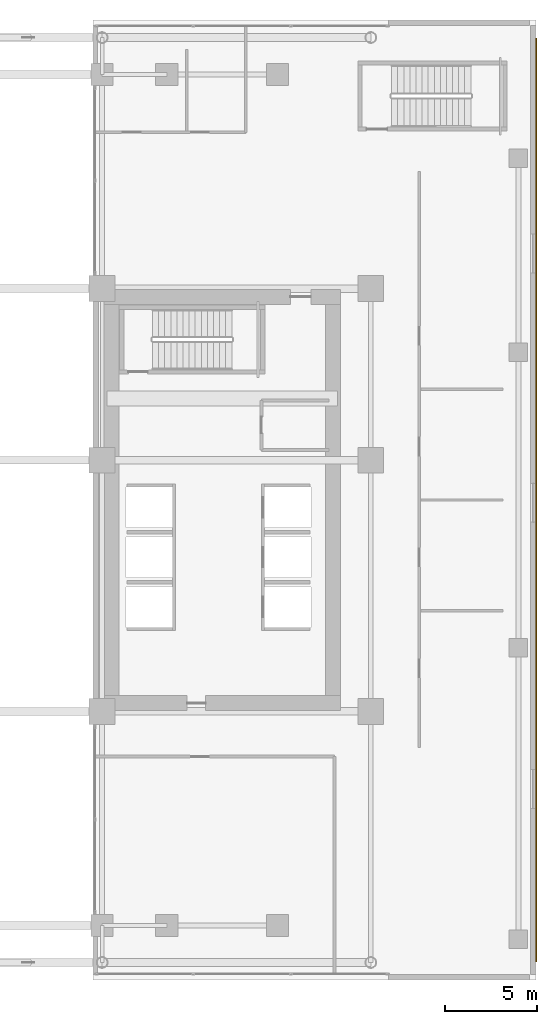
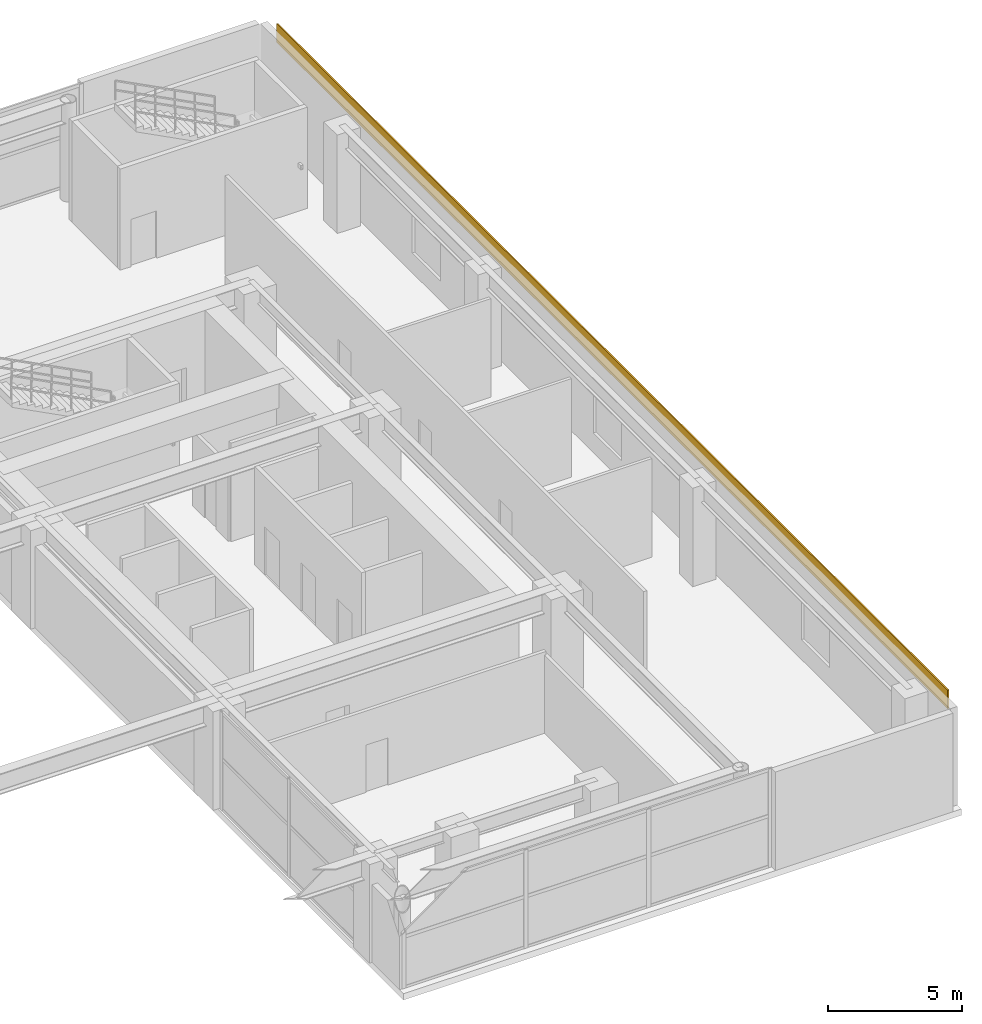
# One storey, part 30 of 30: 1 covering.
"""IFC4 building model written with IfcOpenShell, lengths in metres."""

from ifc_helpers import new_model, si_unit, direction, frame, origin, origin_2d, place, context, subcontext, project, spatial, rectangle, extrude, source, transform, mapped, material, layer, layer_set, type_object, element, save


model = new_model("IFC4")

# Units and contexts
model_context = context("Model", 3, precision=1e-05, world=origin(), true_north=direction((0.0, 1.0)))
body_context = subcontext(model_context, "Body", "Model", "MODEL_VIEW")
ifc_project = project(units=[si_unit("LENGTHUNIT", "METRE"), si_unit("AREAUNIT", "SQUARE_METRE"), si_unit("VOLUMEUNIT", "CUBIC_METRE"), si_unit("PLANEANGLEUNIT", "RADIAN"), si_unit("MASSUNIT", "GRAM", prefix="KILO")], contexts=[model_context])

# Site, building, storey
site_placement = place(None, origin())
site = spatial("IfcSite", under=ifc_project, at=site_placement, CompositionType="ELEMENT")
building_placement = place(site_placement, origin())
building = spatial("IfcBuilding", under=site, at=building_placement, Name="Ocotamira Hotel", CompositionType="ELEMENT")
storey_placement = place(building_placement, frame((0.0, 0.0, 19.199951171875)))
storey = spatial("IfcBuildingStorey", under=building, at=storey_placement, Name="L04", CompositionType="ELEMENT", Elevation=19.199951171875)

# Covering
ifc_material = material(Name="Pale-metal champagne aluminium rainscreen cladding", Category="aluminium")
ifc_layer = layer(ifc_material, 0.06005859375)
ifc_layer_set = layer_set([ifc_layer], Name="Pale-metal champagne aluminium rainscreen cladding")
covering_type = type_object("IfcCoveringType", Name="COV-CLAD-60", PredefinedType="CLADDING", material=ifc_layer_set)
shared_shape = source(origin(), body_context, "Body", "SweptSolid", [
    extrude(rectangle(XDim=0.06005859375, YDim=50.0, at=origin_2d()), origin(), (0.0, 0.0, 1.0), 0.85009765625),
])
covering_placement = place(storey_placement, frame((64.02001953125, 26.0, 3.949951171875), z_axis=(0.0, 0.0, 1.0), x_axis=(1.0, 0.0, 0.0)))
element("IfcCovering", 1, at=covering_placement, inside=storey, type_object=covering_type, Name="L04 East Spandrel Cladding", PredefinedType="CLADDING", context=body_context, shape_type="MappedRepresentation", body=[
    mapped(shared_shape, transform((0.0, 0.0, 0.0), scale=1.0)),
])

save(model, "model.ifc")
